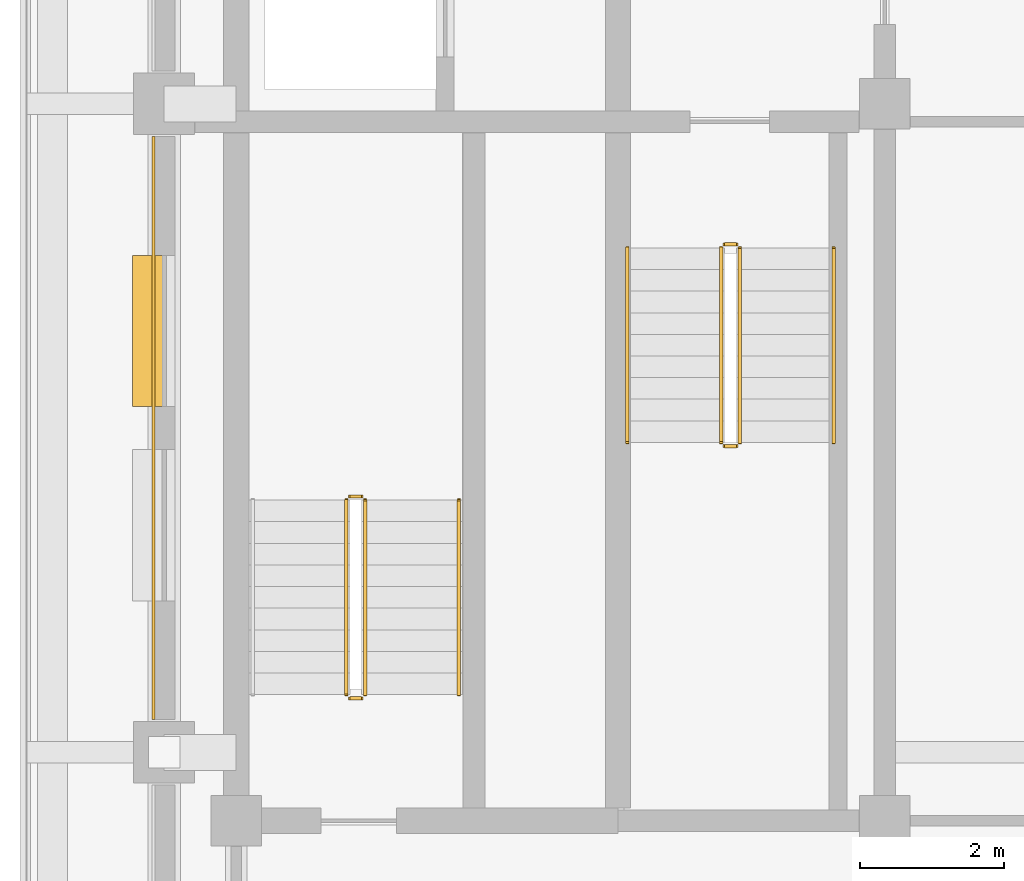
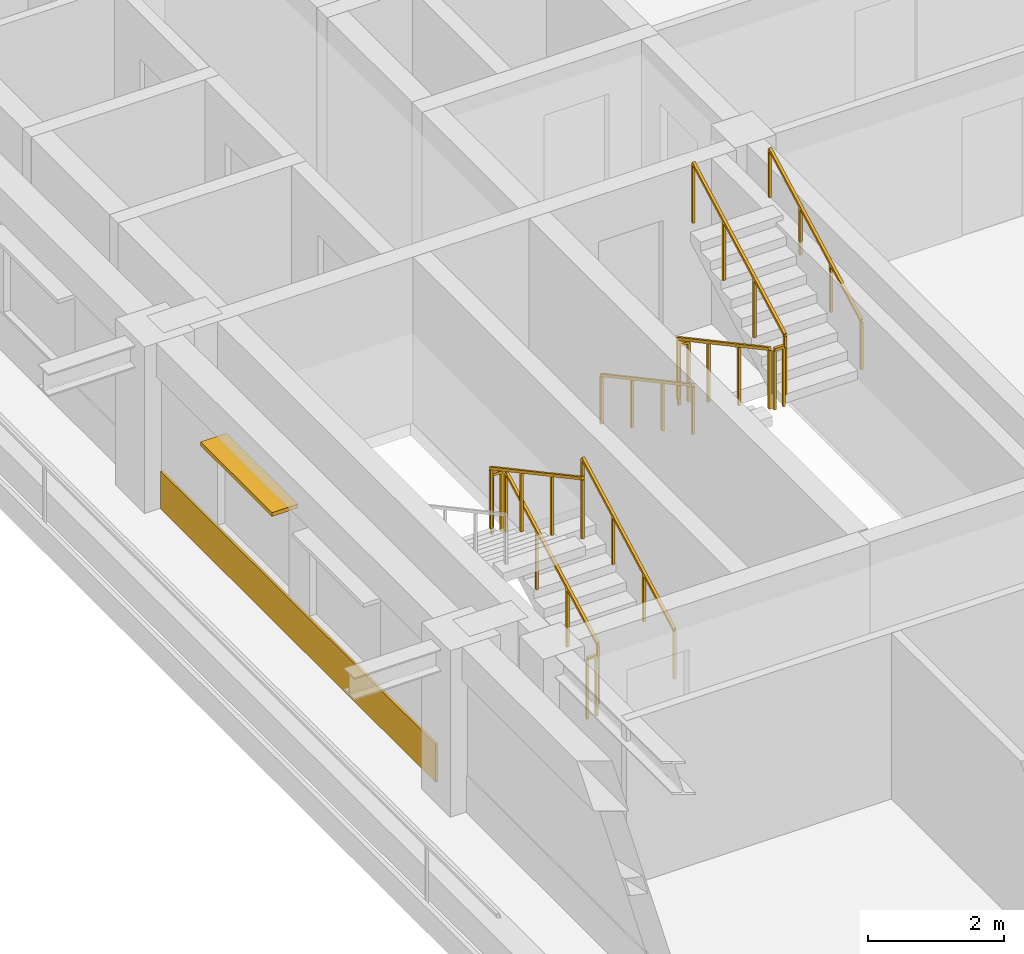
# One storey, part 8 of 11: 11 railings, 1 covering, 1 shading device.
"""IFC4 building model written with IfcOpenShell, lengths in metres."""

from ifc_helpers import new_model, si_unit, direction, frame, frame_2d, origin, origin_2d, place, context, subcontext, project, spatial, rectangle, extrude, material, layer, layer_set, type_object, element, save


model = new_model("IFC4")

# Units and contexts
model_context = context("Model", 3, precision=1e-05, world=origin(), true_north=direction((0.0, 1.0)))
body_context = subcontext(model_context, "Body", "Model", "MODEL_VIEW")
ifc_project = project(units=[si_unit("LENGTHUNIT", "METRE"), si_unit("AREAUNIT", "SQUARE_METRE"), si_unit("VOLUMEUNIT", "CUBIC_METRE"), si_unit("PLANEANGLEUNIT", "RADIAN"), si_unit("MASSUNIT", "GRAM", prefix="KILO")], contexts=[model_context])

# Site, building, storey
site_placement = place(None, origin())
site = spatial("IfcSite", under=ifc_project, at=site_placement, CompositionType="ELEMENT")
building_placement = place(site_placement, origin())
building = spatial("IfcBuilding", under=site, at=building_placement, Name="Zulmaris Gate Convention Tower", CompositionType="ELEMENT")
storey_placement = place(building_placement, frame((0.0, 0.0, 239.739990234375)))
storey = spatial("IfcBuildingStorey", under=building, at=storey_placement, Name="L63", CompositionType="ELEMENT", Elevation=239.739990234375)

# Covering
ifc_material_1 = material(Name="Precast concrete C40/50", Category="concrete")
ifc_layer_1 = layer(ifc_material_1, 0.0400390625, Name="Precast concrete C40/50")
ifc_layer_set_1 = layer_set([ifc_layer_1], Name="Precast concrete C40/50")
covering_type = type_object("IfcCoveringType", Name="CLAD-SPANDREL-PRECAST", PredefinedType="CLADDING", material=ifc_layer_set_1)
covering_placement = place(storey_placement, frame((-21.14990234375, -0.455078125, 0.0), z_axis=(0.0, 0.0, 1.0), x_axis=(0.0, -1.0, 0.0)))
element("IfcCovering", 1, at=covering_placement, inside=storey, type_object=covering_type, Name="CLD-L63-W-1_0", PredefinedType="CLADDING", context=body_context, shape_type="SweptSolid", body=[
    extrude(rectangle(XDim=8.08984375, YDim=0.0400390625, at=frame_2d((4.044921875, 0.0))), origin(), (0.0, 0.0, 1.0), 0.679931640625),
])

# Railings
ifc_material_2 = material(Name="Painted Galvanised Steel", Category="steel")
railing_type_1 = type_object("IfcRailingType", Name="RL-STG-1150", PredefinedType="GUARDRAIL", material=ifc_material_2)
railing_1_placement = place(storey_placement, frame((-13.27001953125, -2.0, 0.16162109375)))
element("IfcRailing", 2, at=railing_1_placement, inside=storey, type_object=railing_type_1, Name="L63 ST-1 stair guard 1", PredefinedType="GUARDRAIL", context=body_context, shape_type="SweptSolid", body=[
    extrude(rectangle(XDim=0.048095703125, YDim=0.048095703125, at=origin_2d()), frame((0.0, 0.0, 1.076171875), z_axis=(0.0, -0.880532452117, 0.47398586558), x_axis=(1.0, 0.0, 0.0)), (0.0, 0.0, 1.0), 3.066162109375),
    extrude(rectangle(XDim=0.0419921875, YDim=0.0419921875, at=origin_2d()), origin(), (0.0, 0.0, 1.0), 1.052001953125),
    extrude(rectangle(XDim=0.0419921875, YDim=0.0419921875, at=origin_2d()), frame((0.0, -0.89990234375, 0.484375)), (0.0, 0.0, 1.0), 1.052001953125),
    extrude(rectangle(XDim=0.0419921875, YDim=0.0419921875, at=origin_2d()), frame((0.0, -1.800048828125, 0.968994140625)), (0.0, 0.0, 1.0), 1.052001953125),
    extrude(rectangle(XDim=0.0419921875, YDim=0.0419921875, at=origin_2d()), frame((0.0, -2.699951171875, 1.453369140625)), (0.0, 0.0, 1.0), 1.052001953125),
])
railing_2_placement = place(storey_placement, frame((-13.219970703125, -4.75, 1.614990234375)))
element("IfcRailing", 3, at=railing_2_placement, inside=storey, type_object=railing_type_1, Name="L63 ST-1 stair guard 2", PredefinedType="GUARDRAIL", context=body_context, shape_type="SweptSolid", body=[
    extrude(rectangle(XDim=0.048095703125, YDim=0.048095703125, at=origin_2d()), frame((0.0, 0.0, 1.076171875), z_axis=(1.0, 0.0, 0.0), x_axis=(0.0, 1.0, 0.0)), (0.0, 0.0, 1.0), 0.159912109375),
    extrude(rectangle(XDim=0.0419921875, YDim=0.0419921875, at=origin_2d()), origin(), (0.0, 0.0, 1.0), 1.052001953125),
    extrude(rectangle(XDim=0.0419921875, YDim=0.0419921875, at=origin_2d()), frame((0.159912109375, 0.0, 0.0)), (0.0, 0.0, 1.0), 1.052001953125),
])
railing_3_placement = place(storey_placement, frame((-13.010009765625, -4.699951171875, 1.776611328125)))
element("IfcRailing", 4, at=railing_3_placement, inside=storey, type_object=railing_type_1, Name="L63 ST-1 stair guard 3", PredefinedType="GUARDRAIL", context=body_context, shape_type="SweptSolid", body=[
    extrude(rectangle(XDim=0.048095703125, YDim=0.048095703125, at=origin_2d()), frame((0.0, 0.0, 1.076171875), z_axis=(0.0, 0.880532452117, 0.47398586558), x_axis=(-1.0, 0.0, 0.0)), (0.0, 0.0, 1.0), 3.066162109375),
    extrude(rectangle(XDim=0.0419921875, YDim=0.0419921875, at=origin_2d()), origin(), (0.0, 0.0, 1.0), 1.052001953125),
    extrude(rectangle(XDim=0.0419921875, YDim=0.0419921875, at=origin_2d()), frame((0.0, 0.89990234375, 0.484375)), (0.0, 0.0, 1.0), 1.052001953125),
    extrude(rectangle(XDim=0.0419921875, YDim=0.0419921875, at=origin_2d()), frame((0.0, 1.800048828125, 0.968994140625)), (0.0, 0.0, 1.0), 1.052001953125),
    extrude(rectangle(XDim=0.0419921875, YDim=0.0419921875, at=origin_2d()), frame((0.0, 2.699951171875, 1.453369140625)), (0.0, 0.0, 1.0), 1.052001953125),
])
railing_4_placement = place(storey_placement, frame((-13.219970703125, -1.949951171875, 0.0)))
element("IfcRailing", 5, at=railing_4_placement, inside=storey, type_object=railing_type_1, Name="L63 ST-1 stair guard 4", PredefinedType="GUARDRAIL", context=body_context, shape_type="SweptSolid", body=[
    extrude(rectangle(XDim=0.048095703125, YDim=0.048095703125, at=origin_2d()), frame((0.0, 0.0, 1.076171875), z_axis=(1.0, 0.0, 0.0), x_axis=(0.0, 1.0, 0.0)), (0.0, 0.0, 1.0), 0.159912109375),
    extrude(rectangle(XDim=0.0419921875, YDim=0.0419921875, at=origin_2d()), origin(), (0.0, 0.0, 1.0), 1.052001953125),
    extrude(rectangle(XDim=0.0419921875, YDim=0.0419921875, at=origin_2d()), frame((0.159912109375, 0.0, 0.0)), (0.0, 0.0, 1.0), 1.052001953125),
])
railing_5_placement = place(storey_placement, frame((-18.2099609375, -8.199951171875, 0.16162109375)))
element("IfcRailing", 6, at=railing_5_placement, inside=storey, type_object=railing_type_1, Name="L63 ST-3 stair guard 1", PredefinedType="GUARDRAIL", context=body_context, shape_type="SweptSolid", body=[
    extrude(rectangle(XDim=0.048095703125, YDim=0.048095703125, at=origin_2d()), frame((0.0, 0.0, 1.076171875), z_axis=(0.0, 0.880532452117, 0.47398586558), x_axis=(-1.0, 0.0, 0.0)), (0.0, 0.0, 1.0), 3.066162109375),
    extrude(rectangle(XDim=0.0419921875, YDim=0.0419921875, at=origin_2d()), origin(), (0.0, 0.0, 1.0), 1.052001953125),
    extrude(rectangle(XDim=0.0419921875, YDim=0.0419921875, at=origin_2d()), frame((0.0, 0.89990234375, 0.484375)), (0.0, 0.0, 1.0), 1.052001953125),
    extrude(rectangle(XDim=0.0419921875, YDim=0.0419921875, at=origin_2d()), frame((0.0, 1.800048828125, 0.968994140625)), (0.0, 0.0, 1.0), 1.052001953125),
    extrude(rectangle(XDim=0.0419921875, YDim=0.0419921875, at=origin_2d()), frame((0.0, 2.699951171875, 1.453369140625)), (0.0, 0.0, 1.0), 1.052001953125),
])
railing_6_placement = place(storey_placement, frame((-18.260009765625, -5.449951171875, 1.614990234375)))
element("IfcRailing", 7, at=railing_6_placement, inside=storey, type_object=railing_type_1, Name="L63 ST-3 stair guard 2", PredefinedType="GUARDRAIL", context=body_context, shape_type="SweptSolid", body=[
    extrude(rectangle(XDim=0.048095703125, YDim=0.048095703125, at=origin_2d()), frame((0.0, 0.0, 1.076171875), z_axis=(-1.0, 0.0, 0.0), x_axis=(0.0, -1.0, 0.0)), (0.0, 0.0, 1.0), 0.159912109375),
    extrude(rectangle(XDim=0.0419921875, YDim=0.0419921875, at=origin_2d()), origin(), (0.0, 0.0, 1.0), 1.052001953125),
    extrude(rectangle(XDim=0.0419921875, YDim=0.0419921875, at=origin_2d()), frame((-0.159912109375, 0.0, 0.0)), (0.0, 0.0, 1.0), 1.052001953125),
])
railing_7_placement = place(storey_placement, frame((-18.469970703125, -5.5, 1.776611328125)))
element("IfcRailing", 8, at=railing_7_placement, inside=storey, type_object=railing_type_1, Name="L63 ST-3 stair guard 3", PredefinedType="GUARDRAIL", context=body_context, shape_type="SweptSolid", body=[
    extrude(rectangle(XDim=0.048095703125, YDim=0.048095703125, at=origin_2d()), frame((0.0, 0.0, 1.076171875), z_axis=(0.0, -0.880532452117, 0.47398586558), x_axis=(1.0, 0.0, 0.0)), (0.0, 0.0, 1.0), 3.066162109375),
    extrude(rectangle(XDim=0.0419921875, YDim=0.0419921875, at=origin_2d()), origin(), (0.0, 0.0, 1.0), 1.052001953125),
    extrude(rectangle(XDim=0.0419921875, YDim=0.0419921875, at=origin_2d()), frame((0.0, -0.89990234375, 0.484375)), (0.0, 0.0, 1.0), 1.052001953125),
    extrude(rectangle(XDim=0.0419921875, YDim=0.0419921875, at=origin_2d()), frame((0.0, -1.800048828125, 0.968994140625)), (0.0, 0.0, 1.0), 1.052001953125),
    extrude(rectangle(XDim=0.0419921875, YDim=0.0419921875, at=origin_2d()), frame((0.0, -2.699951171875, 1.453369140625)), (0.0, 0.0, 1.0), 1.052001953125),
])
railing_8_placement = place(storey_placement, frame((-18.260009765625, -8.25, 0.0)))
element("IfcRailing", 9, at=railing_8_placement, inside=storey, type_object=railing_type_1, Name="L63 ST-3 stair guard 4", PredefinedType="GUARDRAIL", context=body_context, shape_type="SweptSolid", body=[
    extrude(rectangle(XDim=0.048095703125, YDim=0.048095703125, at=origin_2d()), frame((0.0, 0.0, 1.076171875), z_axis=(-1.0, 0.0, 0.0), x_axis=(0.0, -1.0, 0.0)), (0.0, 0.0, 1.0), 0.159912109375),
    extrude(rectangle(XDim=0.0419921875, YDim=0.0419921875, at=origin_2d()), origin(), (0.0, 0.0, 1.0), 1.052001953125),
    extrude(rectangle(XDim=0.0419921875, YDim=0.0419921875, at=origin_2d()), frame((-0.159912109375, 0.0, 0.0)), (0.0, 0.0, 1.0), 1.052001953125),
])
ifc_material_3 = material(Name="Brushed Stainless Steel", Category="steel")
railing_type_2 = type_object("IfcRailingType", Name="RL-STH-900", PredefinedType="HANDRAIL", material=ifc_material_3)
railing_9_placement = place(storey_placement, frame((-14.570068359375, -2.0, 0.16162109375)))
element("IfcRailing", 10, at=railing_9_placement, inside=storey, type_object=railing_type_2, Name="L63 ST-1 stair handrail 1", PredefinedType="HANDRAIL", context=body_context, shape_type="SweptSolid", body=[
    extrude(rectangle(XDim=0.048095703125, YDim=0.048095703125, at=origin_2d()), frame((0.0, 0.0, 0.8759765625), z_axis=(0.0, -0.880532452117, 0.47398586558), x_axis=(1.0, 0.0, 0.0)), (0.0, 0.0, 1.0), 3.066162109375),
    extrude(rectangle(XDim=0.0419921875, YDim=0.0419921875, at=origin_2d()), origin(), (0.0, 0.0, 1.0), 0.851806640625),
    extrude(rectangle(XDim=0.0419921875, YDim=0.0419921875, at=origin_2d()), frame((0.0, -0.89990234375, 0.484375)), (0.0, 0.0, 1.0), 0.851806640625),
    extrude(rectangle(XDim=0.0419921875, YDim=0.0419921875, at=origin_2d()), frame((0.0, -1.800048828125, 0.968994140625)), (0.0, 0.0, 1.0), 0.851806640625),
    extrude(rectangle(XDim=0.0419921875, YDim=0.0419921875, at=origin_2d()), frame((0.0, -2.699951171875, 1.453369140625)), (0.0, 0.0, 1.0), 0.851806640625),
])
for number, where, name in (
    (11, (-11.7099609375, -4.699951171875, 1.776611328125), "L63 ST-1 stair handrail 2"),
    (12, (-16.909912109375, -8.199951171875, 0.16162109375), "L63 ST-3 stair handrail 1"),
):
    element("IfcRailing", number, at=place(storey_placement, frame(where)), inside=storey, type_object=railing_type_2, Name=name, PredefinedType="HANDRAIL", context=body_context, shape_type="SweptSolid", body=[
        extrude(rectangle(XDim=0.048095703125, YDim=0.048095703125, at=origin_2d()), frame((0.0, 0.0, 0.8759765625), z_axis=(0.0, 0.880532452117, 0.47398586558), x_axis=(-1.0, 0.0, 0.0)), (0.0, 0.0, 1.0), 3.066162109375),
        extrude(rectangle(XDim=0.0419921875, YDim=0.0419921875, at=origin_2d()), origin(), (0.0, 0.0, 1.0), 0.851806640625),
        extrude(rectangle(XDim=0.0419921875, YDim=0.0419921875, at=origin_2d()), frame((0.0, 0.89990234375, 0.484375)), (0.0, 0.0, 1.0), 0.851806640625),
        extrude(rectangle(XDim=0.0419921875, YDim=0.0419921875, at=origin_2d()), frame((0.0, 1.800048828125, 0.968994140625)), (0.0, 0.0, 1.0), 0.851806640625),
        extrude(rectangle(XDim=0.0419921875, YDim=0.0419921875, at=origin_2d()), frame((0.0, 2.699951171875, 1.453369140625)), (0.0, 0.0, 1.0), 0.851806640625),
    ])

# Shading device
ifc_material_4 = material(Name="Glazed Ceramic Terracotta", Category="masonry")
ifc_layer_2 = layer(ifc_material_4, 0.070068359375, Name="Glazed Ceramic Terracotta")
ifc_layer_set_2 = layer_set([ifc_layer_2], Name="Glazed Ceramic Terracotta")
shading_device_type = type_object("IfcShadingDeviceType", Name="SHD-SUNSHADE-TC", PredefinedType="AWNING", material=ifc_layer_set_2)
shading_device_placement = place(storey_placement, frame((-21.219970703125, -2.10205078125, 2.22998046875), z_axis=(0.0, 0.0, 1.0), x_axis=(0.0, -1.0, 0.0)))
element("IfcShadingDevice", 13, at=shading_device_placement, inside=storey, type_object=shading_device_type, Name="SHD-EW-L63-W-1_0-1", PredefinedType="AWNING", context=body_context, shape_type="SweptSolid", body=[
    extrude(rectangle(XDim=2.099853515625, YDim=0.43994140625, at=frame_2d((1.0498046875, 0.0))), origin(), (0.0, 0.0, 1.0), 0.070068359375),
])

save(model, "model.ifc")
